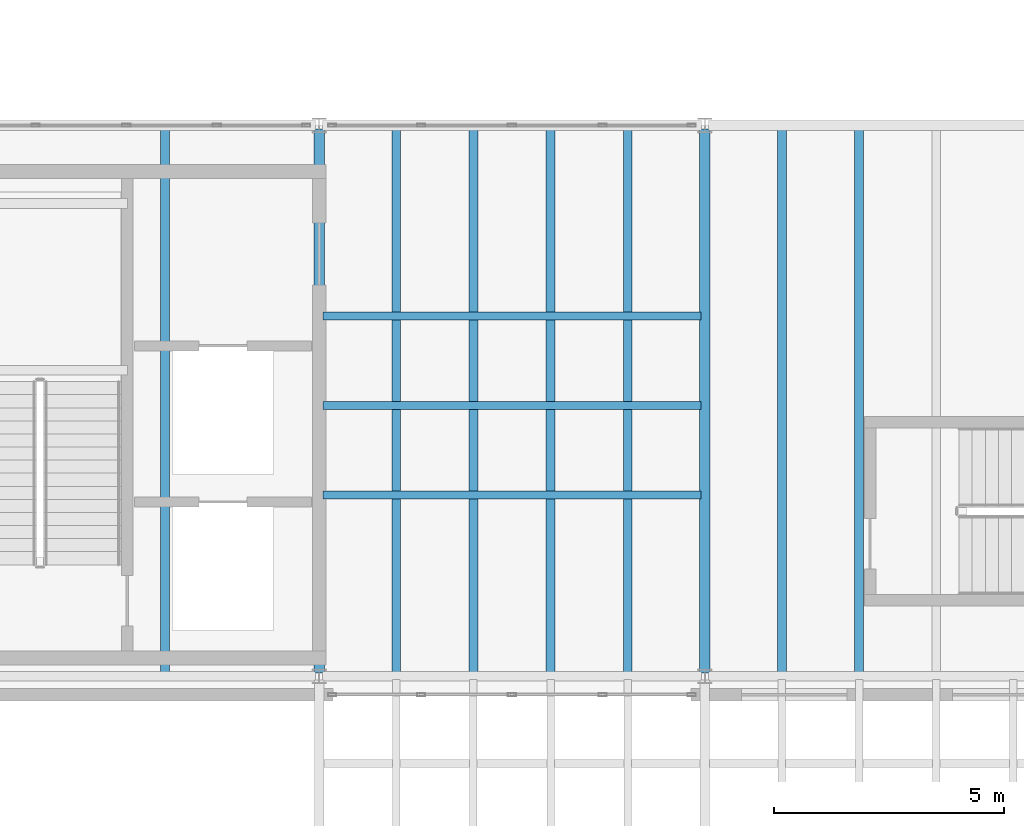
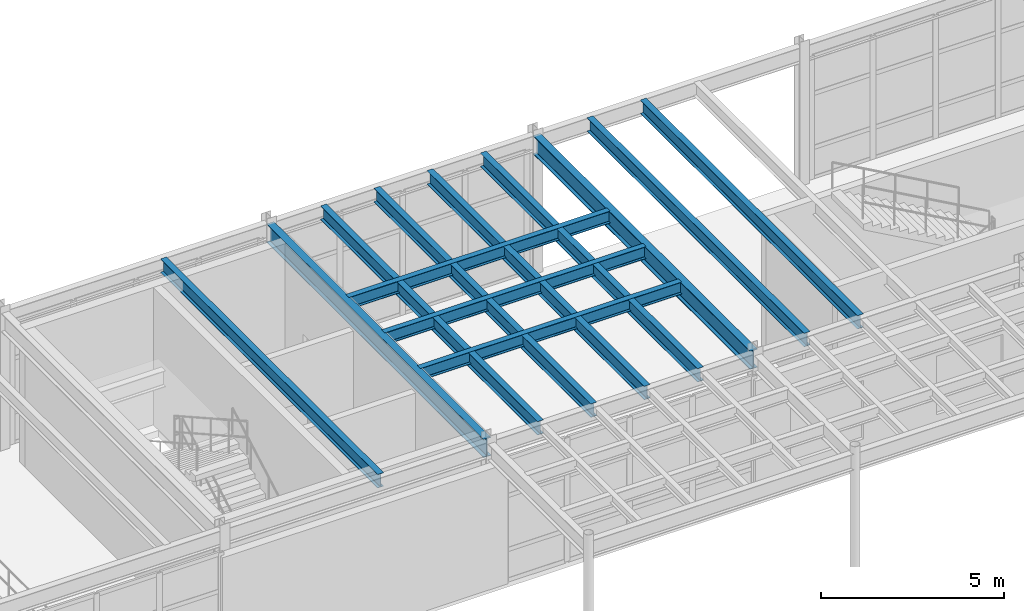
# One storey, part 42 of 116: 12 beams.
"""IFC4 building model written with IfcOpenShell, lengths in metres."""

from ifc_helpers import new_model, si_unit, direction, frame, origin, origin_2d, place, context, subcontext, project, spatial, i_section, extrude, material, material_profile, profile_set, type_object, element, save


model = new_model("IFC4")

# Units and contexts
model_context = context("Model", 3, precision=1e-05, world=origin(), true_north=direction((0.0, 1.0)))
body_context = subcontext(model_context, "Body", "Model", "MODEL_VIEW")
ifc_project = project(units=[si_unit("LENGTHUNIT", "METRE"), si_unit("AREAUNIT", "SQUARE_METRE"), si_unit("VOLUMEUNIT", "CUBIC_METRE"), si_unit("PLANEANGLEUNIT", "RADIAN"), si_unit("MASSUNIT", "GRAM", prefix="KILO")], contexts=[model_context])

# Site, building, storey
site_placement = place(None, origin())
site = spatial("IfcSite", under=ifc_project, at=site_placement, CompositionType="ELEMENT")
building_placement = place(site_placement, origin())
building = spatial("IfcBuilding", under=site, at=building_placement, Name="Selat Folded Stagehouse", CompositionType="ELEMENT")
storey_placement = place(building_placement, frame((0.0, 0.0, 5.39990234375)))
storey = spatial("IfcBuildingStorey", under=building, at=storey_placement, Name="L01", CompositionType="ELEMENT", Elevation=5.39990234375)

# Beams
ifc_material = material(Name="Steel S355", Category="steel")
ifc_material_profile_1 = material_profile(ifc_material, i_section(OverallWidth=0.230224609375, OverallDepth=0.6171875, WebThickness=0.01318359375, FlangeThickness=0.022216796875, FilletRadius=0.0126953125, at=origin_2d()), Name="UKB 610x229x140")
ifc_profile_set_1 = profile_set([ifc_material_profile_1], Name="Steel S355")
beam_type_1 = type_object("IfcBeamType", Name="BM-GIRD-610x229x140", PredefinedType="BEAM", material=ifc_profile_set_1)
for number, where, z_axis, x_axis, name in (
    (1, (84.0, 5.876953125, 4.271484375), (0.0, 1.0, 0.0), (-1.0, 0.0, 0.0), "L01 primary y-girder 0829"),
    (2, (92.39990234375, 5.876953125, 4.271484375), (0.0, 1.0, 0.0), (-1.0, 0.0, 0.0), "L01 primary y-girder 0831"),
):
    element("IfcBeam", number, at=place(storey_placement, frame(where, z_axis=z_axis, x_axis=x_axis)), inside=storey, type_object=beam_type_1, Name=name, PredefinedType="BEAM", context=body_context, shape_type="SweptSolid", body=[
        extrude(i_section(OverallWidth=0.230224609375, OverallDepth=0.6171875, WebThickness=0.01318359375, FlangeThickness=0.022216796875, FilletRadius=0.0126953125, at=origin_2d()), origin(), (0.0, 0.0, 1.0), 11.845947265625),
    ])
ifc_material_profile_2 = material_profile(ifc_material, i_section(OverallWidth=0.177978515625, OverallDepth=0.406494140625, WebThickness=0.0078125, FlangeThickness=0.0126953125, FilletRadius=0.01025390625, at=origin_2d()), Name="UKB 406x178x60")
ifc_profile_set_2 = profile_set([ifc_material_profile_2], Name="Steel S355")
beam_type_2 = type_object("IfcBeamType", Name="JST-406x178x60", PredefinedType="JOIST", material=ifc_profile_set_2)
for number, where, z_axis, x_axis, name in (
    (3, (84.08056640625, 9.75, 4.376953125), (1.0, 0.0, 0.0), (0.0, 1.0, 0.0), "L01 secondary x-joist 0937"),
    (4, (84.08056640625, 11.699951171875, 4.376953125), (1.0, 0.0, 0.0), (0.0, 1.0, 0.0), "L01 secondary x-joist 0941"),
    (5, (84.08056640625, 13.64990234375, 4.376953125), (1.0, 0.0, 0.0), (0.0, 1.0, 0.0), "L01 secondary x-joist 0945"),
):
    element("IfcBeam", number, at=place(storey_placement, frame(where, z_axis=z_axis, x_axis=x_axis)), inside=storey, type_object=beam_type_2, Name=name, PredefinedType="JOIST", context=body_context, shape_type="SweptSolid", body=[
        extrude(i_section(OverallWidth=0.177978515625, OverallDepth=0.406494140625, WebThickness=0.0078125, FlangeThickness=0.0126953125, FilletRadius=0.01025390625, at=origin_2d()), origin(), (0.0, 0.0, 1.0), 8.23876953125),
    ])
ifc_material_profile_3 = material_profile(ifc_material, i_section(OverallWidth=0.18994140625, OverallDepth=0.453369140625, WebThickness=0.008544921875, FlangeThickness=0.0126953125, FilletRadius=0.01025390625, at=origin_2d()), Name="UKB 457x191x67")
ifc_profile_set_3 = profile_set([ifc_material_profile_3], Name="Steel S355")
beam_type_3 = type_object("IfcBeamType", Name="JST-457x191x67", PredefinedType="JOIST", material=ifc_profile_set_3)
for number, where, z_axis, x_axis, name in (
    (6, (80.639892578125, 5.873291015625, 4.353515625), (0.0, 1.0, 0.0), (-1.0, 0.0, 0.0), "L01 secondary floor joist 0881"),
    (7, (85.679931640625, 5.873291015625, 4.353515625), (0.0, 1.0, 0.0), (-1.0, 0.0, 0.0), "L01 secondary floor joist 0883"),
    (8, (87.360107421875, 5.873291015625, 4.353515625), (0.0, 1.0, 0.0), (-1.0, 0.0, 0.0), "L01 secondary floor joist 0885"),
    (9, (89.0400390625, 5.873291015625, 4.353515625), (0.0, 1.0, 0.0), (-1.0, 0.0, 0.0), "L01 secondary floor joist 0887"),
    (10, (90.719970703125, 5.873291015625, 4.353515625), (0.0, 1.0, 0.0), (-1.0, 0.0, 0.0), "L01 secondary floor joist 0889"),
    (11, (94.080078125, 5.873291015625, 4.353515625), (0.0, 1.0, 0.0), (-1.0, 0.0, 0.0), "L01 secondary floor joist 0891"),
    (12, (95.760009765625, 5.873291015625, 4.353515625), (0.0, 1.0, 0.0), (-1.0, 0.0, 0.0), "L01 secondary floor joist 0893"),
):
    element("IfcBeam", number, at=place(storey_placement, frame(where, z_axis=z_axis, x_axis=x_axis)), inside=storey, type_object=beam_type_3, Name=name, PredefinedType="JOIST", context=body_context, shape_type="SweptSolid", body=[
        extrude(i_section(OverallWidth=0.18994140625, OverallDepth=0.453369140625, WebThickness=0.008544921875, FlangeThickness=0.0126953125, FilletRadius=0.01025390625, at=origin_2d()), origin(), (0.0, 0.0, 1.0), 11.853515625),
    ])

save(model, "model.ifc")
